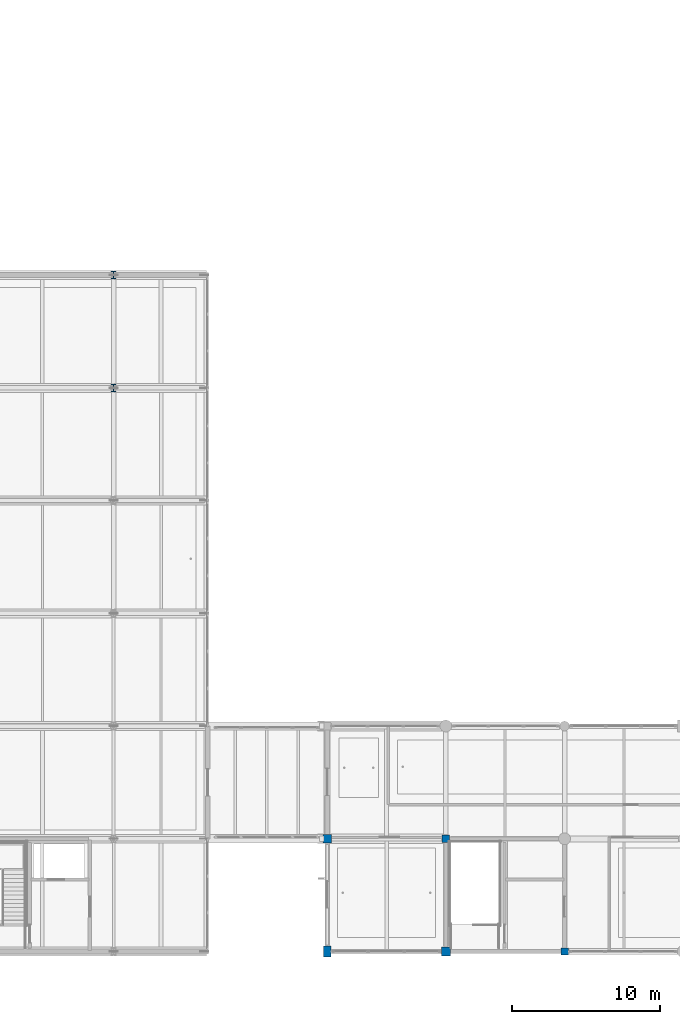
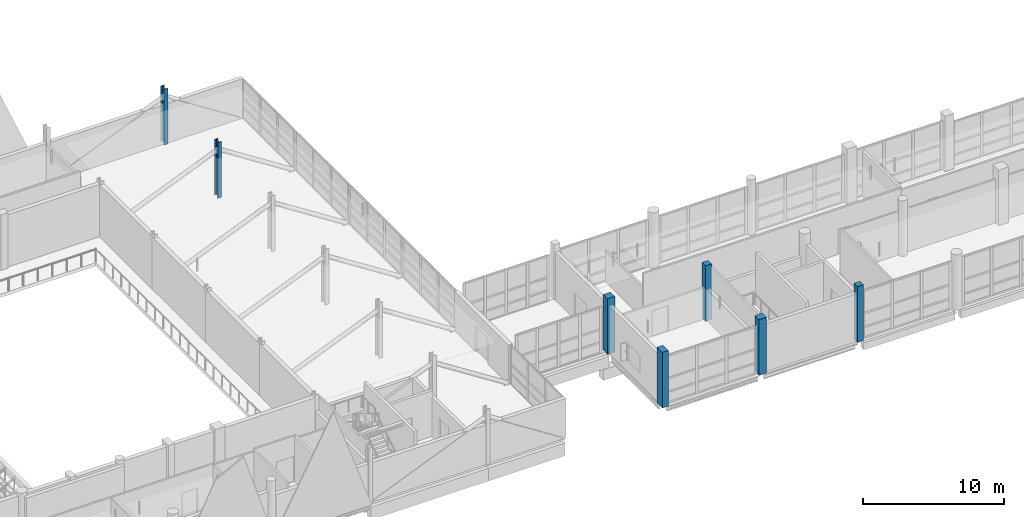
# One storey, part 4 of 141: 7 columns.
"""IFC4 building model written with IfcOpenShell, lengths in metres."""

import ifcopenshell
import ifcopenshell.guid

model = None  # the IFC model being written
_history = None  # IfcOwnerHistory: only IFC2X3 demands one
_inside = {}  # id of a spatial element -> (the spatial element, [elements in it])
_under = {}  # id of a project, library or spatial element -> (it, [spatial elements below it])
_declared = {}  # id of a project -> (the project, [libraries it declares])
_typed = {}  # id of a type object -> (the type object, [elements of that type])
_made_of = {}  # id of a material, layer set ... -> (it, [elements and type objects made of it])


def new_model(schema):
    """Start an empty IFC model of exactly this schema.

    Asked for "IFC4X3", IfcOpenShell would pick the latest addendum, in which some entities
    have other attributes; the version numbers below select the first issue.
    IFC2X3 requires an IfcOwnerHistory on every rooted entity: one is made here for all.
    """
    global model, _history
    if schema == "IFC4X3":
        model = ifcopenshell.file(schema_version=(4, 3, 0, 0))
    else:
        model = ifcopenshell.file(schema=schema)
    _inside.clear()
    _under.clear()
    _declared.clear()
    _typed.clear()
    _made_of.clear()
    _history = None
    if model.schema == "IFC2X3":
        org = make("IfcOrganization", Name="unknown")
        user = make(
            "IfcPersonAndOrganization",
            ThePerson=make("IfcPerson", FamilyName="unknown"),
            TheOrganization=org,
        )
        app = make(
            "IfcApplication",
            ApplicationDeveloper=org,
            Version="unknown",
            ApplicationFullName="unknown",
            ApplicationIdentifier="unknown",
        )
        _history = make(
            "IfcOwnerHistory",
            OwningUser=user,
            OwningApplication=app,
            ChangeAction="ADDED",
            CreationDate=0,
        )
    return model


def make(cls, **values):
    """One entity of the class cls with the attributes given. An attribute that is None is left unset."""
    return model.create_entity(
        cls, **{name: value for name, value in values.items() if value is not None}
    )


def rooted(cls, **values):
    """An entity with a GlobalId (a new one), such as an element, a storey or a relation."""
    return make(cls, GlobalId=ifcopenshell.guid.new(), OwnerHistory=_history, **values)


def si_unit(unit_type, name, prefix=None):
    """IfcSIUnit, for example si_unit("LENGTHUNIT", "METRE", prefix="MILLI")."""
    return make("IfcSIUnit", UnitType=unit_type, Prefix=prefix, Name=name)


def assignment(units):
    """IfcUnitAssignment: the units of a project."""
    return None if units is None else make("IfcUnitAssignment", Units=units)


def point(xyz):
    """IfcCartesianPoint."""
    return None if xyz is None else make("IfcCartesianPoint", Coordinates=xyz)


def direction(xyz):
    """IfcDirection."""
    return None if xyz is None else make("IfcDirection", DirectionRatios=xyz)


def frame(location, z_axis=None, x_axis=None):
    """IfcAxis2Placement3D, a coordinate frame: its origin and axes. An axis left out is left unset."""
    return make(
        "IfcAxis2Placement3D",
        Location=point(location),
        Axis=direction(z_axis),
        RefDirection=direction(x_axis),
    )


def frame_2d(location, x_axis=None):
    """IfcAxis2Placement2D, a coordinate frame in the plane: its origin and x axis."""
    return make(
        "IfcAxis2Placement2D", Location=point(location), RefDirection=direction(x_axis)
    )


def origin():
    """The frame at (0, 0, 0) with its axes left unset."""
    return frame((0.0, 0.0, 0.0))


def origin_2d():
    """The frame at (0, 0) in the plane with its x axis left unset."""
    return frame_2d((0.0, 0.0))


def place(relative_to, where):
    """IfcLocalPlacement: puts the frame where relative to a parent placement (None: the world)."""
    return make(
        "IfcLocalPlacement", PlacementRelTo=relative_to, RelativePlacement=where
    )


def context(
    kind, dimensions, precision=None, world=None, true_north=None, identifier=None
):
    """IfcGeometricRepresentationContext, for example the 3D "Model" context."""
    return make(
        "IfcGeometricRepresentationContext",
        ContextIdentifier=identifier,
        ContextType=kind,
        CoordinateSpaceDimension=dimensions,
        Precision=precision,
        WorldCoordinateSystem=world,
        TrueNorth=true_north,
    )


def subcontext(parent, identifier, kind, view, scale=None):
    """IfcGeometricRepresentationSubContext, for example "Body" below "Model"."""
    return make(
        "IfcGeometricRepresentationSubContext",
        ContextIdentifier=identifier,
        ContextType=kind,
        ParentContext=parent,
        TargetScale=scale,
        TargetView=view,
    )


def project(units=None, contexts=None):
    """IfcProject with its units and contexts."""
    return rooted(
        "IfcProject",
        Name="project",
        RepresentationContexts=contexts,
        UnitsInContext=assignment(units),
    )


def spatial(cls, under=None, at=None, **own):
    """A site, building, storey or space (cls), placed at a placement, below another one or the project."""
    s = rooted(cls, ObjectPlacement=at, **own)
    if under is not None:
        _under.setdefault(under.id(), (under, []))[1].append(s)
    return s


def profile(cls, at=None, kind="AREA", **sizes):
    """A parametric profile (cls). Its sizes go by their IFC names, for example OverallWidth=200.0."""
    return make(cls, ProfileType=kind, Position=at, **sizes)


def rectangle(**sizes):
    """IfcRectangleProfileDef."""
    return profile("IfcRectangleProfileDef", **sizes)


def i_section(**sizes):
    """IfcIShapeProfileDef."""
    return profile("IfcIShapeProfileDef", **sizes)


def extrude(swept, where, along, depth):
    """IfcExtrudedAreaSolid: the profile swept, set in the frame where, extruded along a direction by depth."""
    return make(
        "IfcExtrudedAreaSolid",
        SweptArea=swept,
        Position=where,
        ExtrudedDirection=direction(along),
        Depth=depth,
    )


def shape(context_of_items, identifier, shape_type, items):
    """IfcShapeRepresentation: the items that make up one representation, for example the "Body"."""
    return make(
        "IfcShapeRepresentation",
        ContextOfItems=context_of_items,
        RepresentationIdentifier=identifier,
        RepresentationType=shape_type,
        Items=items,
    )


def material(Name=None, Category=None):
    """IfcMaterial."""
    return make("IfcMaterial", Name=Name, Category=Category)


def material_profile(
    of_material, cross_section, Name=None, Category=None, Priority=None
):
    """IfcMaterialProfile: a cross section and its material."""
    return make(
        "IfcMaterialProfile",
        Name=Name,
        Material=of_material,
        Profile=cross_section,
        Priority=Priority,
        Category=Category,
    )


def profile_set(profiles, Name=None, composite=None):
    """IfcMaterialProfileSet."""
    return make(
        "IfcMaterialProfileSet",
        Name=Name,
        MaterialProfiles=profiles,
        CompositeProfile=composite,
    )


def made_of(thing, what):
    """Note that an element or type object is made of a material, layer set ...; save() writes the relation."""
    if what is not None:
        _made_of.setdefault(what.id(), (what, []))[1].append(thing)
    return thing


def type_object(cls, material=None, **own):
    """A type object (cls), such as IfcWallType, which elements share."""
    return made_of(rooted(cls, **own), material)


def element(
    cls,
    number,
    at=None,
    inside=None,
    cuts=None,
    type_object=None,
    material=None,
    context=None,
    identifier="Body",
    shape_type=None,
    held_by="IfcProductDefinitionShape",
    body=None,
    shapes=None,
    **own,
):
    """One element of the class cls, such as IfcWall. Its Tag is "e" and its number.

    at: its placement. inside: the storey or other place that contains it. cuts: it is an
    opening in that element (IfcRelVoidsElement). A single representation is given by context,
    identifier, shape_type and body (its items); several are given by shapes. held_by: the class
    of the entity that holds the representations. save() writes the other relations.
    """
    e = rooted(cls, Tag="e%d" % number, ObjectPlacement=at, **own)
    if body is not None:
        shapes = [shape(context, identifier, shape_type, body)]
    if shapes is not None:
        e.Representation = make(held_by, Representations=shapes)
    if inside is not None:
        _inside.setdefault(inside.id(), (inside, []))[1].append(e)
    if cuts is not None:
        rooted(
            "IfcRelVoidsElement", RelatingBuildingElement=cuts, RelatedOpeningElement=e
        )
    if type_object is not None:
        _typed.setdefault(type_object.id(), (type_object, []))[1].append(e)
    return made_of(e, material)


def aggregate(whole, parts):
    """IfcRelAggregates: a whole, such as a stair, and the parts it consists of."""
    return rooted("IfcRelAggregates", RelatingObject=whole, RelatedObjects=parts)


def save(model, path):
    """Write the relations noted so far, then the file.

    IfcRelAggregates (storeys below a building ...), IfcRelContainedInSpatialStructure (elements
    in a storey), IfcRelDefinesByType, IfcRelAssociatesMaterial and IfcRelDeclares: one each for
    every whole, place, type object, material and project.
    """
    for whole, parts in _under.values():
        aggregate(whole, parts)
    for where, things in _inside.values():
        rooted(
            "IfcRelContainedInSpatialStructure",
            RelatedElements=things,
            RelatingStructure=where,
        )
    for kind, things in _typed.values():
        rooted("IfcRelDefinesByType", RelatedObjects=things, RelatingType=kind)
    for what, things in _made_of.values():
        rooted("IfcRelAssociatesMaterial", RelatedObjects=things, RelatingMaterial=what)
    for by, libraries in _declared.values():
        rooted("IfcRelDeclares", RelatingContext=by, RelatedDefinitions=libraries)
    model.write(path)


model = new_model("IFC4")

# Units and contexts
model_context = context("Model", 3, precision=1e-05, world=origin(), true_north=direction((0.0, 1.0)))
body_context = subcontext(model_context, "Body", "Model", "MODEL_VIEW")
ifc_project = project(units=[si_unit("LENGTHUNIT", "METRE"), si_unit("AREAUNIT", "SQUARE_METRE"), si_unit("VOLUMEUNIT", "CUBIC_METRE"), si_unit("PLANEANGLEUNIT", "RADIAN"), si_unit("MASSUNIT", "GRAM", prefix="KILO")], contexts=[model_context])

# Site, building, storey
site_placement = place(None, origin())
site = spatial("IfcSite", under=ifc_project, at=site_placement, CompositionType="ELEMENT")
building_placement = place(site_placement, origin())
building = spatial("IfcBuilding", under=site, at=building_placement, Name="Khelvaren Railside Concert Hall", CompositionType="ELEMENT")
storey_placement = place(building_placement, frame((0.0, 0.0, 10.199951171875)))
storey = spatial("IfcBuildingStorey", under=building, at=storey_placement, Name="L02", CompositionType="ELEMENT", Elevation=10.199951171875)

# Columns
ifc_material_1 = material(Name="Concrete C45/55", Category="concrete")
ifc_material_profile_1 = material_profile(ifc_material_1, rectangle(XDim=0.60009765625, YDim=0.60009765625, at=origin_2d()), Name="RC 600x600")
ifc_profile_set_1 = profile_set([ifc_material_profile_1], Name="Concrete C45/55")
column_type_1 = type_object("IfcColumnType", Name="COL11", PredefinedType="COLUMN", material=ifc_profile_set_1)
for number, where, z_axis, x_axis, name in (
    (1, (64.0, 7.60009765625, 0.0), (0.0, 0.0, 1.0), (1.0, 0.0, 0.0), "V3 L02 Column (64.0,7.6)"),
    (2, (72.0, 0.0, 0.0), (0.0, 0.0, 1.0), (1.0, 0.0, 0.0), "V3 L02 Column (72.0,0.0)"),
):
    element("IfcColumn", number, at=place(storey_placement, frame(where, z_axis=z_axis, x_axis=x_axis)), inside=storey, type_object=column_type_1, Name=name, PredefinedType="COLUMN", context=body_context, shape_type="SweptSolid", body=[
        extrude(rectangle(XDim=0.60009765625, YDim=0.60009765625, at=origin_2d()), origin(), (0.0, 0.0, 1.0), 4.800048828125),
    ])
ifc_material_2 = material(Name="Steel S355", Category="steel")
ifc_material_profile_2 = material_profile(ifc_material_2, i_section(OverallWidth=0.300048828125, OverallDepth=0.5, WebThickness=0.014404296875, FlangeThickness=0.028076171875, FilletRadius=0.027099609375, at=origin_2d()), Name="HEB 500")
ifc_profile_set_2 = profile_set([ifc_material_profile_2], Name="Steel S355")
column_type_2 = type_object("IfcColumnType", Name="COL15", PredefinedType="COLUMN", material=ifc_profile_set_2)
column_1_placement = place(storey_placement, frame((49.60009765625, 45.60009765625, 0.0), z_axis=(0.0, 0.0, 1.0), x_axis=(1.0, 0.0, 0.0)))
element("IfcColumn", 3, at=column_1_placement, inside=storey, type_object=column_type_2, Name="V1 L02 Column (49.6,45.6)", PredefinedType="COLUMN", context=body_context, shape_type="SweptSolid", body=[
    extrude(i_section(OverallWidth=0.300048828125, OverallDepth=0.5, WebThickness=0.014404296875, FlangeThickness=0.028076171875, FilletRadius=0.027099609375, at=origin_2d()), origin(), (0.0, 0.0, 1.0), 4.800048828125),
])
ifc_material_profile_3 = material_profile(ifc_material_2, i_section(OverallWidth=0.300048828125, OverallDepth=0.5, WebThickness=0.014404296875, FlangeThickness=0.028076171875, FilletRadius=0.027099609375, at=origin_2d()), Name="HEB 500")
ifc_profile_set_3 = profile_set([ifc_material_profile_3], Name="Steel S355")
column_type_3 = type_object("IfcColumnType", Name="COL25", PredefinedType="COLUMN", material=ifc_profile_set_3)
column_2_placement = place(storey_placement, frame((49.60009765625, 38.0, 0.0), z_axis=(0.0, 0.0, 1.0), x_axis=(1.0, 0.0, 0.0)))
element("IfcColumn", 4, at=column_2_placement, inside=storey, type_object=column_type_3, Name="V1 L02 Column (49.6,38.0)", PredefinedType="COLUMN", context=body_context, shape_type="SweptSolid", body=[
    extrude(i_section(OverallWidth=0.300048828125, OverallDepth=0.5, WebThickness=0.014404296875, FlangeThickness=0.028076171875, FilletRadius=0.027099609375, at=origin_2d()), origin(), (0.0, 0.0, 1.0), 4.800048828125),
])
ifc_material_profile_4 = material_profile(ifc_material_1, rectangle(XDim=0.5, YDim=0.5, at=origin_2d()), Name="RC 500x500")
ifc_profile_set_4 = profile_set([ifc_material_profile_4], Name="Concrete C45/55")
column_type_4 = type_object("IfcColumnType", Name="COL35", PredefinedType="COLUMN", material=ifc_profile_set_4)
column_3_placement = place(storey_placement, frame((80.0, 0.0, 0.0), z_axis=(0.0, 0.0, 1.0), x_axis=(1.0, 0.0, 0.0)))
element("IfcColumn", 5, at=column_3_placement, inside=storey, type_object=column_type_4, Name="V3 L02 Column (80.0,0.0)", PredefinedType="COLUMN", context=body_context, shape_type="SweptSolid", body=[
    extrude(rectangle(XDim=0.5, YDim=0.5, at=origin_2d()), origin(), (0.0, 0.0, 1.0), 4.800048828125),
])
ifc_material_profile_5 = material_profile(ifc_material_1, rectangle(XDim=0.5, YDim=0.5, at=origin_2d()), Name="RC 500x500")
ifc_profile_set_5 = profile_set([ifc_material_profile_5], Name="Concrete C45/55")
column_type_5 = type_object("IfcColumnType", Name="COL84", PredefinedType="COLUMN", material=ifc_profile_set_5)
column_4_placement = place(storey_placement, frame((72.0, 7.60009765625, 0.0), z_axis=(0.0, 0.0, 1.0), x_axis=(1.0, 0.0, 0.0)))
element("IfcColumn", 6, at=column_4_placement, inside=storey, type_object=column_type_5, Name="V3 L02 Column (72.0,7.6)", PredefinedType="COLUMN", context=body_context, shape_type="SweptSolid", body=[
    extrude(rectangle(XDim=0.5, YDim=0.5, at=origin_2d()), origin(), (0.0, 0.0, 1.0), 4.800048828125),
])
ifc_material_profile_6 = material_profile(ifc_material_1, rectangle(XDim=0.5, YDim=0.75, at=origin_2d()), Name="RC 500x750")
ifc_profile_set_6 = profile_set([ifc_material_profile_6], Name="Concrete C45/55")
column_type_6 = type_object("IfcColumnType", Name="COL97", PredefinedType="COLUMN", material=ifc_profile_set_6)
column_5_placement = place(storey_placement, frame((64.0, 0.0, 0.0), z_axis=(0.0, 0.0, 1.0), x_axis=(1.0, 0.0, 0.0)))
element("IfcColumn", 7, at=column_5_placement, inside=storey, type_object=column_type_6, Name="V3 L02 Column (64.0,0.0)", PredefinedType="COLUMN", context=body_context, shape_type="SweptSolid", body=[
    extrude(rectangle(XDim=0.5, YDim=0.75, at=origin_2d()), origin(), (0.0, 0.0, 1.0), 4.800048828125),
])

save(model, "model.ifc")
